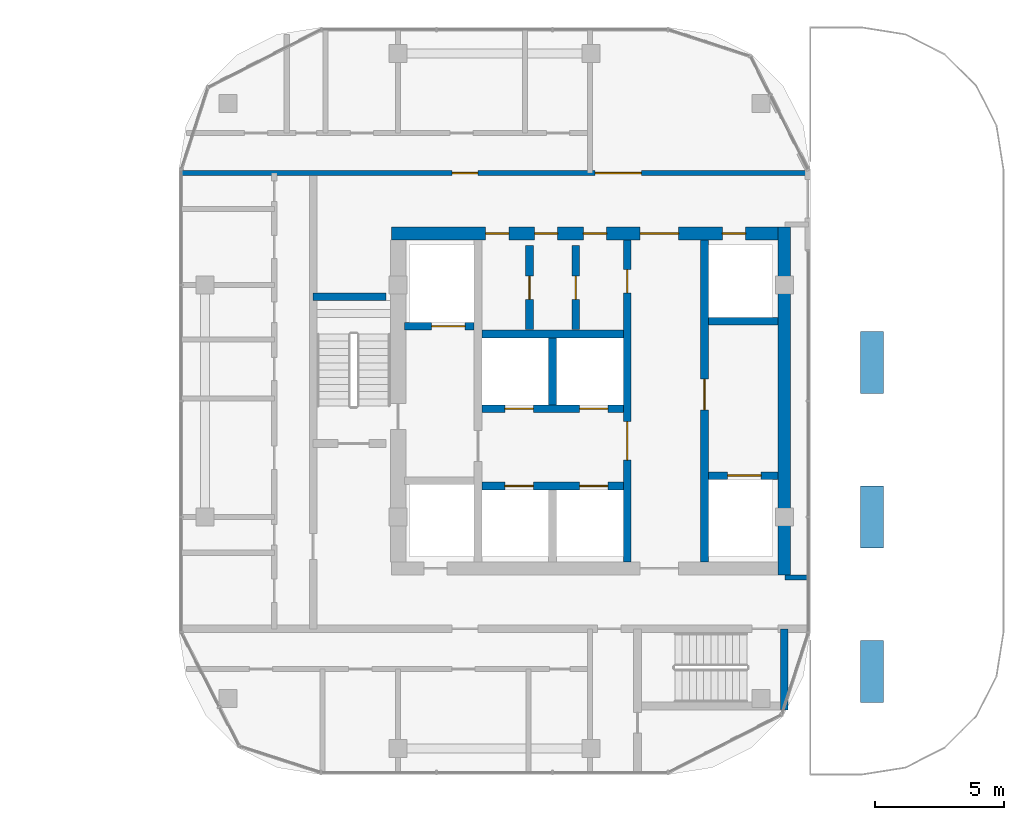
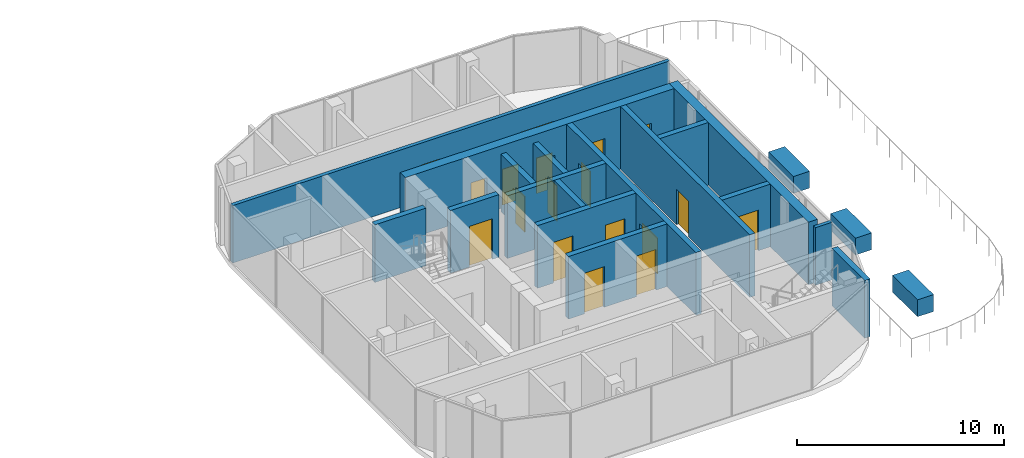
# One storey, part 24 of 35: 20 walls, 18 doors, 18 openings.
"""IFC4 building model written with IfcOpenShell, lengths in metres."""

from ifc_helpers import new_model, si_unit, direction, frame, frame_2d, origin, origin_2d, place, context, subcontext, project, spatial, rectangle, extrude, material, layer, layer_set, type_object, element, fill, save


model = new_model("IFC4")

# Units and contexts
model_context = context("Model", 3, precision=1e-05, world=origin(), true_north=direction((0.0, 1.0)))
body_context = subcontext(model_context, "Body", "Model", "MODEL_VIEW")
ifc_project = project(units=[si_unit("LENGTHUNIT", "METRE"), si_unit("AREAUNIT", "SQUARE_METRE"), si_unit("VOLUMEUNIT", "CUBIC_METRE"), si_unit("PLANEANGLEUNIT", "RADIAN"), si_unit("MASSUNIT", "GRAM", prefix="KILO")], contexts=[model_context])

# Site, building, storey
site_placement = place(None, origin())
site = spatial("IfcSite", under=ifc_project, at=site_placement, CompositionType="ELEMENT")
building_placement = place(site_placement, origin())
building = spatial("IfcBuilding", under=site, at=building_placement, Name="Ogive Portal Towers", CompositionType="ELEMENT")
storey_placement = place(building_placement, frame((0.0, 0.0, 94.5)))
storey = spatial("IfcBuildingStorey", under=building, at=storey_placement, Name="L22", CompositionType="ELEMENT", Elevation=94.5)

# Wall, openings, doors
ifc_material_1 = material(Name="Concrete C60/75", Category="concrete")
ifc_layer_1 = layer(ifc_material_1, 0.300048828125)
ifc_layer_set_1 = layer_set([ifc_layer_1], Name="CORE WALL 300 C60")
wall_type_1 = type_object("IfcWallType", Name="CORE WALL 300 C60", PredefinedType="SHEAR", material=ifc_layer_set_1)
wall_1_placement = place(storey_placement, frame((137.89990234375, 24.75, 0.0), z_axis=(0.0, 0.0, 1.0), x_axis=(0.0, 1.0, 0.0)))
wall_1 = element("IfcWall", 1, at=wall_1_placement, inside=storey, type_object=wall_type_1, Name="Tower B core wall BX2 L22", PredefinedType="SHEAR", context=body_context, shape_type="SweptSolid", body=[
    extrude(rectangle(XDim=12.5, YDim=0.300048828125, at=frame_2d((6.25, 0.0))), origin(), (0.0, 0.0, 1.0), 3.699951171875),
])
opening_1_placement = place(wall_1_placement, frame((3.949951171875, 0.0, 0.0)))
opening_1 = element("IfcOpeningElement", 2, at=opening_1_placement, cuts=wall_1, Name="Opening B08-027", PredefinedType="OPENING", context=body_context, shape_type="SweptSolid", body=[
    extrude(rectangle(XDim=1.5, YDim=2.10009765625, at=frame_2d((0.75, 1.050048828125))), frame((0.0, 0.16015625, 0.0), z_axis=(0.0, -1.0, 0.0), x_axis=(1.0, 0.0, 0.0)), (0.0, 0.0, 1.0), 0.320068359375),
])
opening_2_placement = place(wall_1_placement, frame((10.449951171875, 0.0, 0.0)))
opening_2 = element("IfcOpeningElement", 3, at=opening_2_placement, cuts=wall_1, Name="Opening B08-044", PredefinedType="OPENING", context=body_context, shape_type="SweptSolid", body=[
    extrude(rectangle(XDim=0.89990234375, YDim=2.10009765625, at=frame_2d((0.449951171875, 1.050048828125))), frame((0.0, 0.16015625, 0.0), z_axis=(0.0, -1.0, 0.0), x_axis=(1.0, 0.0, 0.0)), (0.0, 0.0, 1.0), 0.320068359375),
])
ifc_material_2 = material(Name="Steel fire door", Category="steel")
door_type_1 = type_object("IfcDoorType", Name="DT-SWING-1500x2100-FD90S", OperationType="SINGLE_SWING_LEFT", PredefinedType="DOOR", material=ifc_material_2)
door_1_placement = place(opening_1_placement, origin())
door_1 = element("IfcDoor", 4, at=door_1_placement, inside=storey, type_object=door_type_1, Name="Door B08-027", OperationType="SINGLE_SWING_RIGHT", OverallHeight=2.10009765625, OverallWidth=1.5, PredefinedType="DOOR", context=body_context, shape_type="SweptSolid", body=[
    extrude(rectangle(XDim=1.5, YDim=2.10009765625, at=frame_2d((0.75, 1.050048828125))), frame((0.0, 0.02490234375, 0.0), z_axis=(0.0, -1.0, 0.0), x_axis=(1.0, 0.0, 0.0)), (0.0, 0.0, 1.0), 0.050048828125),
])
fill(opening_1, door_1)
door_type_2 = type_object("IfcDoorType", Name="DT-SWING-900x2100-FD90S", OperationType="SINGLE_SWING_LEFT", PredefinedType="DOOR", material=ifc_material_2)
door_2_placement = place(opening_2_placement, origin())
door_2 = element("IfcDoor", 5, at=door_2_placement, inside=storey, type_object=door_type_2, Name="Door B08-044", OperationType="SINGLE_SWING_RIGHT", OverallHeight=2.10009765625, OverallWidth=0.89990234375, PredefinedType="DOOR", context=body_context, shape_type="SweptSolid", body=[
    extrude(rectangle(XDim=0.89990234375, YDim=2.10009765625, at=frame_2d((0.449951171875, 1.050048828125))), frame((0.0, 0.02490234375, 0.0), z_axis=(0.0, -1.0, 0.0), x_axis=(1.0, 0.0, 0.0)), (0.0, 0.0, 1.0), 0.050048828125),
])
fill(opening_2, door_2)

# Wall, opening, door
wall_2_placement = place(storey_placement, frame((140.89990234375, 24.75, 0.0), z_axis=(0.0, 0.0, 1.0), x_axis=(0.0, 1.0, 0.0)))
wall_2 = element("IfcWall", 6, at=wall_2_placement, inside=storey, type_object=wall_type_1, Name="Tower B core wall BX3 L22", PredefinedType="SHEAR", context=body_context, shape_type="SweptSolid", body=[
    extrude(rectangle(XDim=12.5, YDim=0.300048828125, at=frame_2d((6.25, 0.0))), origin(), (0.0, 0.0, 1.0), 3.699951171875),
])
opening_3_placement = place(wall_2_placement, frame((5.89990234375, 0.0, 0.0)))
opening_3 = element("IfcOpeningElement", 7, at=opening_3_placement, cuts=wall_2, Name="Opening B08-029", PredefinedType="OPENING", context=body_context, shape_type="SweptSolid", body=[
    extrude(rectangle(XDim=1.199951171875, YDim=2.10009765625, at=frame_2d((0.60009765625, 1.050048828125))), frame((0.0, 0.16015625, 0.0), z_axis=(0.0, -1.0, 0.0), x_axis=(1.0, 0.0, 0.0)), (0.0, 0.0, 1.0), 0.320068359375),
])
door_type_3 = type_object("IfcDoorType", Name="DT-SWING-1200x2100-FD90S", OperationType="SINGLE_SWING_LEFT", PredefinedType="DOOR", material=ifc_material_2)
door_3_placement = place(opening_3_placement, origin())
door_3 = element("IfcDoor", 8, at=door_3_placement, inside=storey, type_object=door_type_3, Name="Door B08-029", OperationType="SINGLE_SWING_RIGHT", OverallHeight=2.10009765625, OverallWidth=1.199951171875, PredefinedType="DOOR", context=body_context, shape_type="SweptSolid", body=[
    extrude(rectangle(XDim=1.199951171875, YDim=2.10009765625, at=frame_2d((0.60009765625, 1.050048828125))), frame((0.0, 0.02490234375, 0.0), z_axis=(0.0, -1.0, 0.0), x_axis=(1.0, 0.0, 0.0)), (0.0, 0.0, 1.0), 0.050048828125),
])
fill(opening_3, door_3)

# Wall
wall_3_placement = place(storey_placement, frame((135.0, 30.85009765625, 0.0), z_axis=(0.0, 0.0, 1.0), x_axis=(0.0, 1.0, 0.0)))
element("IfcWall", 9, at=wall_3_placement, inside=storey, type_object=wall_type_1, Name="Tower B core wall BX5 L22", PredefinedType="SHEAR", context=body_context, shape_type="SweptSolid", body=[
    extrude(rectangle(XDim=2.599853515625, YDim=0.300048828125, at=frame_2d((1.2998046875, 0.0))), origin(), (0.0, 0.0, 1.0), 3.699951171875),
])

# Wall, openings, doors
wall_4_placement = place(storey_placement, frame((132.25, 27.699951171875, 0.0), z_axis=(0.0, 0.0, 1.0), x_axis=(1.0, 0.0, 0.0)))
wall_4 = element("IfcWall", 10, at=wall_4_placement, inside=storey, type_object=wall_type_1, Name="Tower B core wall BY1 L22", PredefinedType="SHEAR", context=body_context, shape_type="SweptSolid", body=[
    extrude(rectangle(XDim=5.5, YDim=0.300048828125, at=frame_2d((2.75, 0.0))), origin(), (0.0, 0.0, 1.0), 3.699951171875),
])
opening_4_placement = place(wall_4_placement, frame((0.89990234375, 0.0, 0.0)))
opening_4 = element("IfcOpeningElement", 11, at=opening_4_placement, cuts=wall_4, Name="Opening B08-035", PredefinedType="OPENING", context=body_context, shape_type="SweptSolid", body=[
    extrude(rectangle(XDim=1.10009765625, YDim=2.39990234375, at=frame_2d((0.550048828125, 1.199951171875))), frame((0.0, 0.16015625, 0.0), z_axis=(0.0, -1.0, 0.0), x_axis=(1.0, 0.0, 0.0)), (0.0, 0.0, 1.0), 0.320068359375),
])
opening_5_placement = place(wall_4_placement, frame((3.800048828125, 0.0, 0.0)))
opening_5 = element("IfcOpeningElement", 12, at=opening_5_placement, cuts=wall_4, Name="Opening B08-036", PredefinedType="OPENING", context=body_context, shape_type="SweptSolid", body=[
    extrude(rectangle(XDim=1.10009765625, YDim=2.39990234375, at=frame_2d((0.550048828125, 1.199951171875))), frame((0.0, 0.16015625, 0.0), z_axis=(0.0, -1.0, 0.0), x_axis=(1.0, 0.0, 0.0)), (0.0, 0.0, 1.0), 0.320068359375),
])
ifc_material_3 = material(Name="Stainless steel", Category="steel")
door_type_4 = type_object("IfcDoorType", Name="DT-LD-1100x2400", OperationType="SLIDING_TO_LEFT", PredefinedType="DOOR", material=ifc_material_3)
door_4_placement = place(opening_4_placement, origin())
door_4 = element("IfcDoor", 13, at=door_4_placement, inside=storey, type_object=door_type_4, Name="Door B08-035", OperationType="SLIDING_TO_LEFT", OverallHeight=2.39990234375, OverallWidth=1.10009765625, PredefinedType="DOOR", context=body_context, shape_type="SweptSolid", body=[
    extrude(rectangle(XDim=1.10009765625, YDim=2.39990234375, at=frame_2d((0.550048828125, 1.199951171875))), frame((0.0, 0.02490234375, 0.0), z_axis=(0.0, -1.0, 0.0), x_axis=(1.0, 0.0, 0.0)), (0.0, 0.0, 1.0), 0.050048828125),
])
fill(opening_4, door_4)
door_5_placement = place(opening_5_placement, origin())
door_5 = element("IfcDoor", 14, at=door_5_placement, inside=storey, type_object=door_type_4, Name="Door B08-036", OperationType="SLIDING_TO_LEFT", OverallHeight=2.39990234375, OverallWidth=1.10009765625, PredefinedType="DOOR", context=body_context, shape_type="SweptSolid", body=[
    extrude(rectangle(XDim=1.10009765625, YDim=2.39990234375, at=frame_2d((0.550048828125, 1.199951171875))), frame((0.0, 0.02490234375, 0.0), z_axis=(0.0, -1.0, 0.0), x_axis=(1.0, 0.0, 0.0)), (0.0, 0.0, 1.0), 0.050048828125),
])
fill(opening_5, door_5)

wall_5_placement = place(storey_placement, frame((132.25, 30.699951171875, 0.0), z_axis=(0.0, 0.0, 1.0), x_axis=(1.0, 0.0, 0.0)))
wall_5 = element("IfcWall", 15, at=wall_5_placement, inside=storey, type_object=wall_type_1, Name="Tower B core wall BY2 L22", PredefinedType="SHEAR", context=body_context, shape_type="SweptSolid", body=[
    extrude(rectangle(XDim=5.5, YDim=0.300048828125, at=frame_2d((2.75, 0.0))), origin(), (0.0, 0.0, 1.0), 3.699951171875),
])
opening_6_placement = place(wall_5_placement, frame((0.89990234375, 0.0, 0.0)))
opening_6 = element("IfcOpeningElement", 16, at=opening_6_placement, cuts=wall_5, Name="Opening B08-037", PredefinedType="OPENING", context=body_context, shape_type="SweptSolid", body=[
    extrude(rectangle(XDim=1.10009765625, YDim=2.39990234375, at=frame_2d((0.550048828125, 1.199951171875))), frame((0.0, 0.16015625, 0.0), z_axis=(0.0, -1.0, 0.0), x_axis=(1.0, 0.0, 0.0)), (0.0, 0.0, 1.0), 0.320068359375),
])
opening_7_placement = place(wall_5_placement, frame((3.800048828125, 0.0, 0.0)))
opening_7 = element("IfcOpeningElement", 17, at=opening_7_placement, cuts=wall_5, Name="Opening B08-038", PredefinedType="OPENING", context=body_context, shape_type="SweptSolid", body=[
    extrude(rectangle(XDim=1.10009765625, YDim=2.39990234375, at=frame_2d((0.550048828125, 1.199951171875))), frame((0.0, 0.16015625, 0.0), z_axis=(0.0, -1.0, 0.0), x_axis=(1.0, 0.0, 0.0)), (0.0, 0.0, 1.0), 0.320068359375),
])
door_6_placement = place(opening_6_placement, origin())
door_6 = element("IfcDoor", 18, at=door_6_placement, inside=storey, type_object=door_type_4, Name="Door B08-037", OperationType="SLIDING_TO_LEFT", OverallHeight=2.39990234375, OverallWidth=1.10009765625, PredefinedType="DOOR", context=body_context, shape_type="SweptSolid", body=[
    extrude(rectangle(XDim=1.10009765625, YDim=2.39990234375, at=frame_2d((0.550048828125, 1.199951171875))), frame((0.0, 0.02490234375, 0.0), z_axis=(0.0, -1.0, 0.0), x_axis=(1.0, 0.0, 0.0)), (0.0, 0.0, 1.0), 0.050048828125),
])
fill(opening_6, door_6)
door_7_placement = place(opening_7_placement, origin())
door_7 = element("IfcDoor", 19, at=door_7_placement, inside=storey, type_object=door_type_4, Name="Door B08-038", OperationType="SLIDING_TO_LEFT", OverallHeight=2.39990234375, OverallWidth=1.10009765625, PredefinedType="DOOR", context=body_context, shape_type="SweptSolid", body=[
    extrude(rectangle(XDim=1.10009765625, YDim=2.39990234375, at=frame_2d((0.550048828125, 1.199951171875))), frame((0.0, 0.02490234375, 0.0), z_axis=(0.0, -1.0, 0.0), x_axis=(1.0, 0.0, 0.0)), (0.0, 0.0, 1.0), 0.050048828125),
])
fill(opening_7, door_7)

# Wall
wall_6_placement = place(storey_placement, frame((132.25, 33.60009765625, 0.0), z_axis=(0.0, 0.0, 1.0), x_axis=(1.0, 0.0, 0.0)))
element("IfcWall", 20, at=wall_6_placement, inside=storey, type_object=wall_type_1, Name="Tower B core wall BY3 L22", PredefinedType="SHEAR", context=body_context, shape_type="SweptSolid", body=[
    extrude(rectangle(XDim=5.5, YDim=0.300048828125, at=frame_2d((2.75, 0.0))), origin(), (0.0, 0.0, 1.0), 3.699951171875),
])

# Wall, opening, door
wall_7_placement = place(storey_placement, frame((129.25, 33.89990234375, 0.0), z_axis=(0.0, 0.0, 1.0), x_axis=(1.0, 0.0, 0.0)))
wall_7 = element("IfcWall", 21, at=wall_7_placement, inside=storey, type_object=wall_type_1, Name="Tower B core wall BY5 L22", PredefinedType="SHEAR", context=body_context, shape_type="SweptSolid", body=[
    extrude(rectangle(XDim=2.699951171875, YDim=0.300048828125, at=frame_2d((1.35009765625, 0.0))), origin(), (0.0, 0.0, 1.0), 3.699951171875),
])
opening_8_placement = place(wall_7_placement, frame((1.050048828125, 0.0, 0.0)))
opening_8 = element("IfcOpeningElement", 22, at=opening_8_placement, cuts=wall_7, Name="Opening B08-039", PredefinedType="OPENING", context=body_context, shape_type="SweptSolid", body=[
    extrude(rectangle(XDim=1.300048828125, YDim=2.39990234375, at=frame_2d((0.64990234375, 1.199951171875))), frame((0.0, 0.16015625, 0.0), z_axis=(0.0, -1.0, 0.0), x_axis=(1.0, 0.0, 0.0)), (0.0, 0.0, 1.0), 0.320068359375),
])
door_type_5 = type_object("IfcDoorType", Name="DT-LD-1300x2400", OperationType="SLIDING_TO_LEFT", PredefinedType="DOOR", material=ifc_material_3)
door_8_placement = place(opening_8_placement, origin())
door_8 = element("IfcDoor", 23, at=door_8_placement, inside=storey, type_object=door_type_5, Name="Door B08-039", OperationType="SLIDING_TO_LEFT", OverallHeight=2.39990234375, OverallWidth=1.300048828125, PredefinedType="DOOR", context=body_context, shape_type="SweptSolid", body=[
    extrude(rectangle(XDim=1.300048828125, YDim=2.39990234375, at=frame_2d((0.64990234375, 1.199951171875))), frame((0.0, 0.02490234375, 0.0), z_axis=(0.0, -1.0, 0.0), x_axis=(1.0, 0.0, 0.0)), (0.0, 0.0, 1.0), 0.050048828125),
])
fill(opening_8, door_8)

wall_8_placement = place(storey_placement, frame((141.050048828125, 28.10009765625, 0.0), z_axis=(0.0, 0.0, 1.0), x_axis=(1.0, 0.0, 0.0)))
wall_8 = element("IfcWall", 24, at=wall_8_placement, inside=storey, type_object=wall_type_1, Name="Tower B core wall BY6 L22", PredefinedType="SHEAR", context=body_context, shape_type="SweptSolid", body=[
    extrude(rectangle(XDim=2.699951171875, YDim=0.300048828125, at=frame_2d((1.35009765625, 0.0))), origin(), (0.0, 0.0, 1.0), 3.699951171875),
])
opening_9_placement = place(wall_8_placement, frame((0.75, 0.0, 0.0)))
opening_9 = element("IfcOpeningElement", 25, at=opening_9_placement, cuts=wall_8, Name="Opening B08-040", PredefinedType="OPENING", context=body_context, shape_type="SweptSolid", body=[
    extrude(rectangle(XDim=1.300048828125, YDim=2.39990234375, at=frame_2d((0.64990234375, 1.199951171875))), frame((0.0, 0.16015625, 0.0), z_axis=(0.0, -1.0, 0.0), x_axis=(1.0, 0.0, 0.0)), (0.0, 0.0, 1.0), 0.320068359375),
])
door_9_placement = place(opening_9_placement, origin())
door_9 = element("IfcDoor", 26, at=door_9_placement, inside=storey, type_object=door_type_5, Name="Door B08-040", OperationType="SLIDING_TO_LEFT", OverallHeight=2.39990234375, OverallWidth=1.300048828125, PredefinedType="DOOR", context=body_context, shape_type="SweptSolid", body=[
    extrude(rectangle(XDim=1.300048828125, YDim=2.39990234375, at=frame_2d((0.64990234375, 1.199951171875))), frame((0.0, 0.02490234375, 0.0), z_axis=(0.0, -1.0, 0.0), x_axis=(1.0, 0.0, 0.0)), (0.0, 0.0, 1.0), 0.050048828125),
])
fill(opening_9, door_9)

# Walls
wall_9_placement = place(storey_placement, frame((141.050048828125, 34.10009765625, 0.0), z_axis=(0.0, 0.0, 1.0), x_axis=(1.0, 0.0, 0.0)))
element("IfcWall", 27, at=wall_9_placement, inside=storey, type_object=wall_type_1, Name="Tower B core wall BY7 L22", PredefinedType="SHEAR", context=body_context, shape_type="SweptSolid", body=[
    extrude(rectangle(XDim=2.699951171875, YDim=0.300048828125, at=frame_2d((1.35009765625, 0.0))), origin(), (0.0, 0.0, 1.0), 3.699951171875),
])
ifc_layer_2 = layer(ifc_material_1, 0.5)
ifc_layer_set_2 = layer_set([ifc_layer_2], Name="CORE WALL 500 C60")
wall_type_2 = type_object("IfcWallType", Name="CORE WALL 500 C60", PredefinedType="SHEAR", material=ifc_layer_set_2)
wall_10_placement = place(storey_placement, frame((144.0, 24.25, 0.0), z_axis=(0.0, 0.0, 1.0), x_axis=(0.0, 1.0, 0.0)))
element("IfcWall", 28, at=wall_10_placement, inside=storey, type_object=wall_type_2, Name="Tower B core wall BE L22", PredefinedType="SHEAR", context=body_context, shape_type="SweptSolid", body=[
    extrude(rectangle(XDim=13.5, YDim=0.5, at=frame_2d((6.75, 0.0))), origin(), (0.0, 0.0, 1.0), 3.699951171875),
])

# Wall, openings, doors
wall_11_placement = place(storey_placement, frame((128.75, 37.5, 0.0), z_axis=(0.0, 0.0, 1.0), x_axis=(1.0, 0.0, 0.0)))
wall_11 = element("IfcWall", 29, at=wall_11_placement, inside=storey, type_object=wall_type_2, Name="Tower B core wall BN L22", PredefinedType="SHEAR", context=body_context, shape_type="SweptSolid", body=[
    extrude(rectangle(XDim=15.0, YDim=0.5, at=frame_2d((7.5, 0.0))), origin(), (0.0, 0.0, 1.0), 3.699951171875),
])
opening_10_placement = place(wall_11_placement, frame((9.64990234375, 0.0, 0.0)))
opening_10 = element("IfcOpeningElement", 30, at=opening_10_placement, cuts=wall_11, Name="Opening B08-032", PredefinedType="OPENING", context=body_context, shape_type="SweptSolid", body=[
    extrude(rectangle(XDim=1.5, YDim=2.10009765625, at=frame_2d((0.75, 1.050048828125))), frame((0.0, 0.260009765625, 0.0), z_axis=(0.0, -1.0, 0.0), x_axis=(1.0, 0.0, 0.0)), (0.0, 0.0, 1.0), 0.52001953125),
])
opening_11_placement = place(wall_11_placement, frame((12.85009765625, 0.0, 0.0)))
opening_11 = element("IfcOpeningElement", 31, at=opening_11_placement, cuts=wall_11, Name="Opening B08-034", PredefinedType="OPENING", context=body_context, shape_type="SweptSolid", body=[
    extrude(rectangle(XDim=0.89990234375, YDim=2.10009765625, at=frame_2d((0.449951171875, 1.050048828125))), frame((0.0, 0.260009765625, 0.0), z_axis=(0.0, -1.0, 0.0), x_axis=(1.0, 0.0, 0.0)), (0.0, 0.0, 1.0), 0.52001953125),
])
opening_12_placement = place(wall_11_placement, frame((3.64990234375, 0.0, 0.0)))
opening_12 = element("IfcOpeningElement", 32, at=opening_12_placement, cuts=wall_11, Name="Opening B08-041", PredefinedType="OPENING", context=body_context, shape_type="SweptSolid", body=[
    extrude(rectangle(XDim=0.89990234375, YDim=2.10009765625, at=frame_2d((0.449951171875, 1.050048828125))), frame((0.0, 0.260009765625, 0.0), z_axis=(0.0, -1.0, 0.0), x_axis=(1.0, 0.0, 0.0)), (0.0, 0.0, 1.0), 0.52001953125),
])
opening_13_placement = place(wall_11_placement, frame((5.550048828125, 0.0, 0.0)))
opening_13 = element("IfcOpeningElement", 33, at=opening_13_placement, cuts=wall_11, Name="Opening B08-042", PredefinedType="OPENING", context=body_context, shape_type="SweptSolid", body=[
    extrude(rectangle(XDim=0.89990234375, YDim=2.10009765625, at=frame_2d((0.449951171875, 1.050048828125))), frame((0.0, 0.260009765625, 0.0), z_axis=(0.0, -1.0, 0.0), x_axis=(1.0, 0.0, 0.0)), (0.0, 0.0, 1.0), 0.52001953125),
])
opening_14_placement = place(wall_11_placement, frame((7.449951171875, 0.0, 0.0)))
opening_14 = element("IfcOpeningElement", 34, at=opening_14_placement, cuts=wall_11, Name="Opening B08-043", PredefinedType="OPENING", context=body_context, shape_type="SweptSolid", body=[
    extrude(rectangle(XDim=0.89990234375, YDim=2.10009765625, at=frame_2d((0.449951171875, 1.050048828125))), frame((0.0, 0.260009765625, 0.0), z_axis=(0.0, -1.0, 0.0), x_axis=(1.0, 0.0, 0.0)), (0.0, 0.0, 1.0), 0.52001953125),
])
door_10_placement = place(opening_10_placement, origin())
door_10 = element("IfcDoor", 35, at=door_10_placement, inside=storey, type_object=door_type_1, Name="Door B08-032", OperationType="SINGLE_SWING_RIGHT", OverallHeight=2.10009765625, OverallWidth=1.5, PredefinedType="DOOR", context=body_context, shape_type="SweptSolid", body=[
    extrude(rectangle(XDim=1.5, YDim=2.10009765625, at=frame_2d((0.75, 1.050048828125))), frame((0.0, 0.02490234375, 0.0), z_axis=(0.0, -1.0, 0.0), x_axis=(1.0, 0.0, 0.0)), (0.0, 0.0, 1.0), 0.050048828125),
])
fill(opening_10, door_10)
door_11_placement = place(opening_11_placement, origin())
door_11 = element("IfcDoor", 36, at=door_11_placement, inside=storey, type_object=door_type_2, Name="Riser access door B08-034", OperationType="SINGLE_SWING_RIGHT", OverallHeight=2.10009765625, OverallWidth=0.89990234375, PredefinedType="DOOR", context=body_context, shape_type="SweptSolid", body=[
    extrude(rectangle(XDim=0.89990234375, YDim=2.10009765625, at=frame_2d((0.449951171875, 1.050048828125))), frame((0.0, 0.02490234375, 0.0), z_axis=(0.0, -1.0, 0.0), x_axis=(1.0, 0.0, 0.0)), (0.0, 0.0, 1.0), 0.050048828125),
])
fill(opening_11, door_11)
door_12_placement = place(opening_12_placement, origin())
door_12 = element("IfcDoor", 37, at=door_12_placement, inside=storey, type_object=door_type_2, Name="Riser access door B08-041", OperationType="SINGLE_SWING_LEFT", OverallHeight=2.10009765625, OverallWidth=0.89990234375, PredefinedType="DOOR", context=body_context, shape_type="SweptSolid", body=[
    extrude(rectangle(XDim=0.89990234375, YDim=2.10009765625, at=frame_2d((0.449951171875, 1.050048828125))), frame((0.0, 0.02490234375, 0.0), z_axis=(0.0, -1.0, 0.0), x_axis=(1.0, 0.0, 0.0)), (0.0, 0.0, 1.0), 0.050048828125),
])
fill(opening_12, door_12)
door_13_placement = place(opening_13_placement, origin())
door_13 = element("IfcDoor", 38, at=door_13_placement, inside=storey, type_object=door_type_2, Name="Door B08-042", OperationType="SINGLE_SWING_RIGHT", OverallHeight=2.10009765625, OverallWidth=0.89990234375, PredefinedType="DOOR", context=body_context, shape_type="SweptSolid", body=[
    extrude(rectangle(XDim=0.89990234375, YDim=2.10009765625, at=frame_2d((0.449951171875, 1.050048828125))), frame((0.0, 0.02490234375, 0.0), z_axis=(0.0, -1.0, 0.0), x_axis=(1.0, 0.0, 0.0)), (0.0, 0.0, 1.0), 0.050048828125),
])
fill(opening_13, door_13)
door_14_placement = place(opening_14_placement, origin())
door_14 = element("IfcDoor", 39, at=door_14_placement, inside=storey, type_object=door_type_2, Name="Door B08-043", OperationType="SINGLE_SWING_LEFT", OverallHeight=2.10009765625, OverallWidth=0.89990234375, PredefinedType="DOOR", context=body_context, shape_type="SweptSolid", body=[
    extrude(rectangle(XDim=0.89990234375, YDim=2.10009765625, at=frame_2d((0.449951171875, 1.050048828125))), frame((0.0, 0.02490234375, 0.0), z_axis=(0.0, -1.0, 0.0), x_axis=(1.0, 0.0, 0.0)), (0.0, 0.0, 1.0), 0.050048828125),
])
fill(opening_14, door_14)

# Walls
ifc_material_4 = material(Name="Concrete C40/50", Category="concrete")
ifc_layer_3 = layer(ifc_material_4, 0.449951171875)
ifc_layer_set_3 = layer_set([ifc_layer_3], Name="PLANTER WALL 450")
wall_type_3 = type_object("IfcWallType", Name="PLANTER WALL 450", PredefinedType="SOLIDWALL", material=ifc_layer_set_3)
for number, where, z_axis, x_axis, name in (
    (40, (147.409912109375, 20.489990234375, 0.0), (0.0, 0.0, 1.0), (1.0, 0.0, 0.0), "Terrace planter 1"),
    (41, (147.409912109375, 26.489990234375, 0.0), (0.0, 0.0, 1.0), (1.0, 0.0, 0.0), "Terrace planter 2"),
    (42, (147.409912109375, 32.489990234375, 0.0), (0.0, 0.0, 1.0), (1.0, 0.0, 0.0), "Terrace planter 3"),
):
    element("IfcWall", number, at=place(storey_placement, frame(where, z_axis=z_axis, x_axis=x_axis)), inside=storey, type_object=wall_type_3, Name=name, PredefinedType="SOLIDWALL", context=body_context, shape_type="SweptSolid", body=[
        extrude(rectangle(XDim=0.89990234375, YDim=2.39990234375, at=origin_2d()), origin(), (0.0, 0.0, 1.0), 1.0),
    ])
ifc_material_5 = material(Name="Concrete C50/60", Category="concrete")
ifc_layer_4 = layer(ifc_material_5, 0.300048828125)
ifc_layer_set_4 = layer_set([ifc_layer_4], Name="STAIR WALL 300 C50")
wall_type_4 = type_object("IfcWallType", Name="STAIR WALL 300 C50", PredefinedType="SHEAR", material=ifc_layer_set_4)
wall_12_placement = place(storey_placement, frame((125.699951171875, 35.050048828125, 0.0), z_axis=(0.0, 0.0, 1.0), x_axis=(1.0, 0.0, 0.0)))
element("IfcWall", 43, at=wall_12_placement, inside=storey, type_object=wall_type_4, Name="Stair wall ST-B1 L22", PredefinedType="SHEAR", context=body_context, shape_type="SweptSolid", body=[
    extrude(rectangle(XDim=2.830078125, YDim=0.300048828125, at=frame_2d((1.4150390625, 0.0))), origin(), (0.0, 0.0, 1.0), 3.39990234375),
])
wall_13_placement = place(storey_placement, frame((144.0, 18.9990234375, 0.0), z_axis=(0.0, 0.0, 1.0), x_axis=(0.0, 1.0, 0.0)))
element("IfcWall", 44, at=wall_13_placement, inside=storey, type_object=wall_type_4, Name="Stair wall ST-B2 L22", PredefinedType="SHEAR", context=body_context, shape_type="SweptSolid", body=[
    extrude(rectangle(XDim=3.15087890625, YDim=0.300048828125, at=frame_2d((1.575439453125, 0.0))), origin(), (0.0, 0.0, 1.0), 3.39990234375),
])
ifc_material_6 = material(Name="Gypsum board partition on steel studs", Category="steel")
ifc_layer_5 = layer(ifc_material_6, 0.199951171875)
ifc_layer_set_5 = layer_set([ifc_layer_5], Name="WT-PART-200-EI 60")
wall_type_5 = type_object("IfcWallType", Name="WT-PART-200-EI 60", PredefinedType="PARTITIONING", material=ifc_layer_set_5)
wall_14_placement = place(storey_placement, frame((144.02001953125, 24.14990234375, 0.0), z_axis=(0.0, 0.0, 1.0), x_axis=(1.0, 0.0, 0.0)))
element("IfcWall", 45, at=wall_14_placement, inside=storey, type_object=wall_type_5, Name="Wall L22:w005", PredefinedType="PARTITIONING", context=body_context, shape_type="SweptSolid", body=[
    extrude(rectangle(XDim=0.919921875, YDim=0.199951171875, at=frame_2d((0.4599609375, 0.0))), origin(), (0.0, 0.0, 1.0), 3.39990234375),
])

# Wall, openings, doors
wall_15_placement = place(storey_placement, frame((120.56005859375, 39.85009765625, 0.0), z_axis=(0.0, 0.0, 1.0), x_axis=(1.0, 0.0, 0.0)))
wall_15 = element("IfcWall", 46, at=wall_15_placement, inside=storey, type_object=wall_type_5, Name="Wall L22:w016", PredefinedType="PARTITIONING", context=body_context, shape_type="SweptSolid", body=[
    extrude(rectangle(XDim=24.3798828125, YDim=0.199951171875, at=frame_2d((12.18994140625, 0.0))), origin(), (0.0, 0.0, 1.0), 3.39990234375),
])
opening_15_placement = place(wall_15_placement, frame((10.5400390625, 0.0, 0.0)))
opening_15 = element("IfcOpeningElement", 47, at=opening_15_placement, cuts=wall_15, Name="Opening B08-005", PredefinedType="OPENING", context=body_context, shape_type="SweptSolid", body=[
    extrude(rectangle(XDim=1.0, YDim=2.10009765625, at=frame_2d((0.5, 1.050048828125))), frame((0.0, 0.10986328125, 0.0), z_axis=(0.0, -1.0, 0.0), x_axis=(1.0, 0.0, 0.0)), (0.0, 0.0, 1.0), 0.219970703125),
])
opening_16_placement = place(wall_15_placement, frame((16.090087890625, 0.0, 0.0)))
opening_16 = element("IfcOpeningElement", 48, at=opening_16_placement, cuts=wall_15, Name="Opening B08-018", PredefinedType="OPENING", context=body_context, shape_type="SweptSolid", body=[
    extrude(rectangle(XDim=1.800048828125, YDim=2.10009765625, at=frame_2d((0.89990234375, 1.050048828125))), frame((0.0, 0.10986328125, 0.0), z_axis=(0.0, -1.0, 0.0), x_axis=(1.0, 0.0, 0.0)), (0.0, 0.0, 1.0), 0.219970703125),
])
door_type_6 = type_object("IfcDoorType", Name="DT-SWING-1000x2100-FD60S", OperationType="SINGLE_SWING_LEFT", PredefinedType="DOOR", material=ifc_material_2)
door_15_placement = place(opening_15_placement, origin())
door_15 = element("IfcDoor", 49, at=door_15_placement, inside=storey, type_object=door_type_6, Name="Door B08-005", OperationType="SINGLE_SWING_LEFT", OverallHeight=2.10009765625, OverallWidth=1.0, PredefinedType="DOOR", context=body_context, shape_type="SweptSolid", body=[
    extrude(rectangle(XDim=1.0, YDim=2.10009765625, at=frame_2d((0.5, 1.050048828125))), frame((0.0, 0.02490234375, 0.0), z_axis=(0.0, -1.0, 0.0), x_axis=(1.0, 0.0, 0.0)), (0.0, 0.0, 1.0), 0.050048828125),
])
fill(opening_15, door_15)
door_type_7 = type_object("IfcDoorType", Name="DT-SWING-1800x2100-FD60S", OperationType="SINGLE_SWING_LEFT", PredefinedType="DOOR", material=ifc_material_2)
door_16_placement = place(opening_16_placement, origin())
door_16 = element("IfcDoor", 50, at=door_16_placement, inside=storey, type_object=door_type_7, Name="Door B08-018", OperationType="SINGLE_SWING_RIGHT", OverallHeight=2.10009765625, OverallWidth=1.800048828125, PredefinedType="DOOR", context=body_context, shape_type="SweptSolid", body=[
    extrude(rectangle(XDim=1.800048828125, YDim=2.10009765625, at=frame_2d((0.89990234375, 1.050048828125))), frame((0.0, 0.02490234375, 0.0), z_axis=(0.0, -1.0, 0.0), x_axis=(1.0, 0.0, 0.0)), (0.0, 0.0, 1.0), 0.050048828125),
])
fill(opening_16, door_16)

# Wall, opening, door
ifc_layer_6 = layer(ifc_material_6, 0.300048828125)
ifc_layer_set_6 = layer_set([ifc_layer_6], Name="WT-PART-300-EI 60")
wall_type_6 = type_object("IfcWallType", Name="WT-PART-300-EI 60", PredefinedType="PARTITIONING", material=ifc_layer_set_6)
wall_16_placement = place(storey_placement, frame((134.10009765625, 33.77001953125, 0.0), z_axis=(0.0, 0.0, 1.0), x_axis=(0.0, 1.0, 0.0)))
wall_16 = element("IfcWall", 51, at=wall_16_placement, inside=storey, type_object=wall_type_6, Name="Wall L22:w029", PredefinedType="PARTITIONING", context=body_context, shape_type="SweptSolid", body=[
    extrude(rectangle(XDim=3.260009765625, YDim=0.300048828125, at=frame_2d((1.6298828125, 0.0))), origin(), (0.0, 0.0, 1.0), 3.39990234375),
])
opening_17_placement = place(wall_16_placement, frame((1.179931640625, 0.0, 0.0)))
opening_17 = element("IfcOpeningElement", 52, at=opening_17_placement, cuts=wall_16, Name="Opening B08-003", PredefinedType="OPENING", context=body_context, shape_type="SweptSolid", body=[
    extrude(rectangle(XDim=0.89990234375, YDim=2.10009765625, at=frame_2d((0.449951171875, 1.050048828125))), frame((0.0, 0.16015625, 0.0), z_axis=(0.0, -1.0, 0.0), x_axis=(1.0, 0.0, 0.0)), (0.0, 0.0, 1.0), 0.320068359375),
])
door_type_8 = type_object("IfcDoorType", Name="DT-SWING-900x2100-FD60S", OperationType="SINGLE_SWING_LEFT", PredefinedType="DOOR", material=ifc_material_2)
door_17_placement = place(opening_17_placement, origin())
door_17 = element("IfcDoor", 53, at=door_17_placement, inside=storey, type_object=door_type_8, Name="Riser access door B08-003", OperationType="SINGLE_SWING_LEFT", OverallHeight=2.10009765625, OverallWidth=0.89990234375, PredefinedType="DOOR", context=body_context, shape_type="SweptSolid", body=[
    extrude(rectangle(XDim=0.89990234375, YDim=2.10009765625, at=frame_2d((0.449951171875, 1.050048828125))), frame((0.0, 0.02490234375, 0.0), z_axis=(0.0, -1.0, 0.0), x_axis=(1.0, 0.0, 0.0)), (0.0, 0.0, 1.0), 0.050048828125),
])
fill(opening_17, door_17)

wall_17_placement = place(storey_placement, frame((135.89990234375, 33.77001953125, 0.0), z_axis=(0.0, 0.0, 1.0), x_axis=(0.0, 1.0, 0.0)))
wall_17 = element("IfcWall", 54, at=wall_17_placement, inside=storey, type_object=wall_type_6, Name="Wall L22:w030", PredefinedType="PARTITIONING", context=body_context, shape_type="SweptSolid", body=[
    extrude(rectangle(XDim=3.260009765625, YDim=0.300048828125, at=frame_2d((1.6298828125, 0.0))), origin(), (0.0, 0.0, 1.0), 3.39990234375),
])
opening_18_placement = place(wall_17_placement, frame((1.179931640625, 0.0, 0.0)))
opening_18 = element("IfcOpeningElement", 55, at=opening_18_placement, cuts=wall_17, Name="Opening B08-004", PredefinedType="OPENING", context=body_context, shape_type="SweptSolid", body=[
    extrude(rectangle(XDim=0.89990234375, YDim=2.10009765625, at=frame_2d((0.449951171875, 1.050048828125))), frame((0.0, 0.16015625, 0.0), z_axis=(0.0, -1.0, 0.0), x_axis=(1.0, 0.0, 0.0)), (0.0, 0.0, 1.0), 0.320068359375),
])
door_18_placement = place(opening_18_placement, origin())
door_18 = element("IfcDoor", 56, at=door_18_placement, inside=storey, type_object=door_type_8, Name="Door B08-004", OperationType="SINGLE_SWING_RIGHT", OverallHeight=2.10009765625, OverallWidth=0.89990234375, PredefinedType="DOOR", context=body_context, shape_type="SweptSolid", body=[
    extrude(rectangle(XDim=0.89990234375, YDim=2.10009765625, at=frame_2d((0.449951171875, 1.050048828125))), frame((0.0, 0.02490234375, 0.0), z_axis=(0.0, -1.0, 0.0), x_axis=(1.0, 0.0, 0.0)), (0.0, 0.0, 1.0), 0.050048828125),
])
fill(opening_18, door_18)

save(model, "model.ifc")
